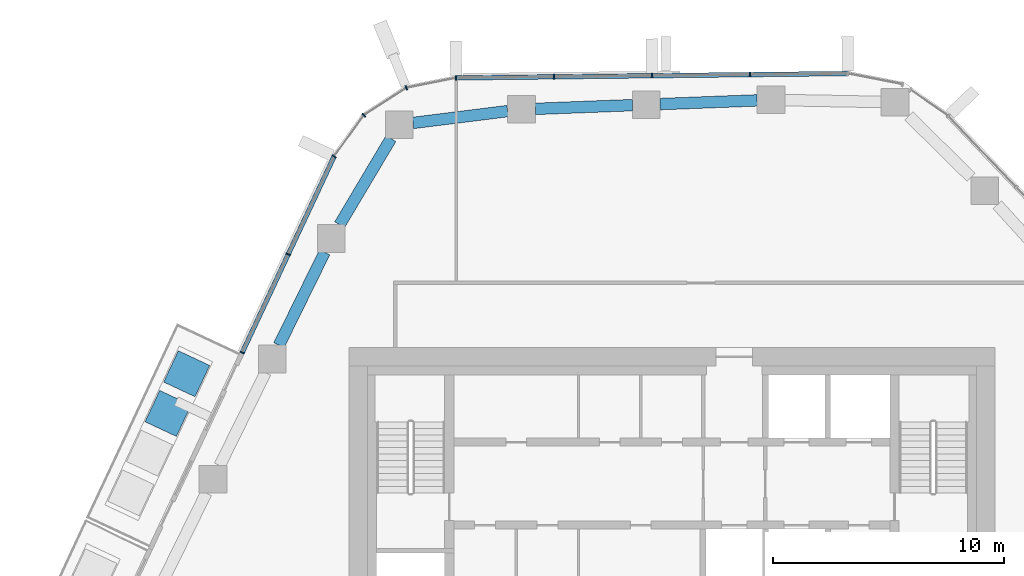
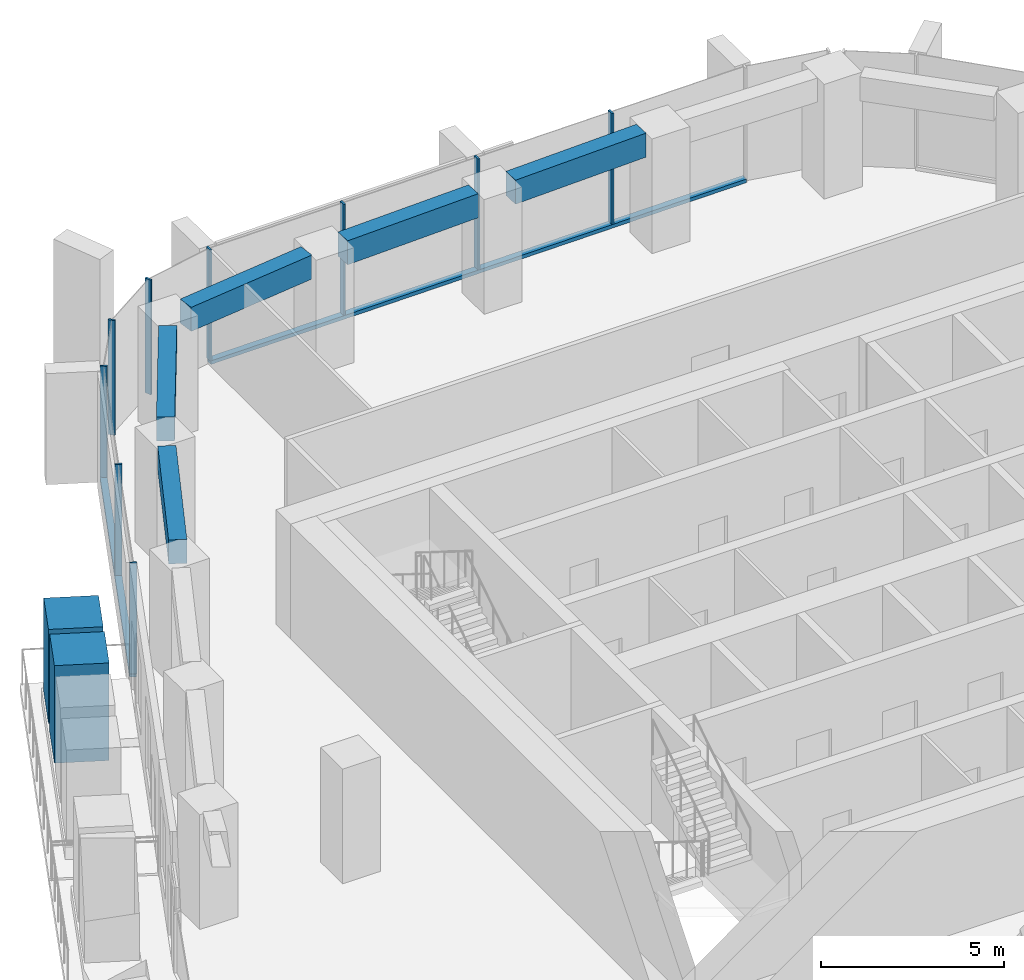
# One storey, part 5 of 17: 13 members, 5 beams, 3 elements without a shape of their own.
"""IFC4 building model written with IfcOpenShell, lengths in metres."""

import ifcopenshell
import ifcopenshell.guid

model = None  # the IFC model being written
_history = None  # IfcOwnerHistory: only IFC2X3 demands one
_inside = {}  # id of a spatial element -> (the spatial element, [elements in it])
_under = {}  # id of a project, library or spatial element -> (it, [spatial elements below it])
_declared = {}  # id of a project -> (the project, [libraries it declares])
_typed = {}  # id of a type object -> (the type object, [elements of that type])
_made_of = {}  # id of a material, layer set ... -> (it, [elements and type objects made of it])


def new_model(schema):
    """Start an empty IFC model of exactly this schema.

    Asked for "IFC4X3", IfcOpenShell would pick the latest addendum, in which some entities
    have other attributes; the version numbers below select the first issue.
    IFC2X3 requires an IfcOwnerHistory on every rooted entity: one is made here for all.
    """
    global model, _history
    if schema == "IFC4X3":
        model = ifcopenshell.file(schema_version=(4, 3, 0, 0))
    else:
        model = ifcopenshell.file(schema=schema)
    _inside.clear()
    _under.clear()
    _declared.clear()
    _typed.clear()
    _made_of.clear()
    _history = None
    if model.schema == "IFC2X3":
        org = make("IfcOrganization", Name="unknown")
        user = make(
            "IfcPersonAndOrganization",
            ThePerson=make("IfcPerson", FamilyName="unknown"),
            TheOrganization=org,
        )
        app = make(
            "IfcApplication",
            ApplicationDeveloper=org,
            Version="unknown",
            ApplicationFullName="unknown",
            ApplicationIdentifier="unknown",
        )
        _history = make(
            "IfcOwnerHistory",
            OwningUser=user,
            OwningApplication=app,
            ChangeAction="ADDED",
            CreationDate=0,
        )
    return model


def make(cls, **values):
    """One entity of the class cls with the attributes given. An attribute that is None is left unset."""
    return model.create_entity(
        cls, **{name: value for name, value in values.items() if value is not None}
    )


def rooted(cls, **values):
    """An entity with a GlobalId (a new one), such as an element, a storey or a relation."""
    return make(cls, GlobalId=ifcopenshell.guid.new(), OwnerHistory=_history, **values)


def si_unit(unit_type, name, prefix=None):
    """IfcSIUnit, for example si_unit("LENGTHUNIT", "METRE", prefix="MILLI")."""
    return make("IfcSIUnit", UnitType=unit_type, Prefix=prefix, Name=name)


def assignment(units):
    """IfcUnitAssignment: the units of a project."""
    return None if units is None else make("IfcUnitAssignment", Units=units)


def point(xyz):
    """IfcCartesianPoint."""
    return None if xyz is None else make("IfcCartesianPoint", Coordinates=xyz)


def direction(xyz):
    """IfcDirection."""
    return None if xyz is None else make("IfcDirection", DirectionRatios=xyz)


def frame(location, z_axis=None, x_axis=None):
    """IfcAxis2Placement3D, a coordinate frame: its origin and axes. An axis left out is left unset."""
    return make(
        "IfcAxis2Placement3D",
        Location=point(location),
        Axis=direction(z_axis),
        RefDirection=direction(x_axis),
    )


def frame_2d(location, x_axis=None):
    """IfcAxis2Placement2D, a coordinate frame in the plane: its origin and x axis."""
    return make(
        "IfcAxis2Placement2D", Location=point(location), RefDirection=direction(x_axis)
    )


def origin():
    """The frame at (0, 0, 0) with its axes left unset."""
    return frame((0.0, 0.0, 0.0))


def origin_2d():
    """The frame at (0, 0) in the plane with its x axis left unset."""
    return frame_2d((0.0, 0.0))


def place(relative_to, where):
    """IfcLocalPlacement: puts the frame where relative to a parent placement (None: the world)."""
    return make(
        "IfcLocalPlacement", PlacementRelTo=relative_to, RelativePlacement=where
    )


def context(
    kind, dimensions, precision=None, world=None, true_north=None, identifier=None
):
    """IfcGeometricRepresentationContext, for example the 3D "Model" context."""
    return make(
        "IfcGeometricRepresentationContext",
        ContextIdentifier=identifier,
        ContextType=kind,
        CoordinateSpaceDimension=dimensions,
        Precision=precision,
        WorldCoordinateSystem=world,
        TrueNorth=true_north,
    )


def subcontext(parent, identifier, kind, view, scale=None):
    """IfcGeometricRepresentationSubContext, for example "Body" below "Model"."""
    return make(
        "IfcGeometricRepresentationSubContext",
        ContextIdentifier=identifier,
        ContextType=kind,
        ParentContext=parent,
        TargetScale=scale,
        TargetView=view,
    )


def project(units=None, contexts=None):
    """IfcProject with its units and contexts."""
    return rooted(
        "IfcProject",
        Name="project",
        RepresentationContexts=contexts,
        UnitsInContext=assignment(units),
    )


def spatial(cls, under=None, at=None, **own):
    """A site, building, storey or space (cls), placed at a placement, below another one or the project."""
    s = rooted(cls, ObjectPlacement=at, **own)
    if under is not None:
        _under.setdefault(under.id(), (under, []))[1].append(s)
    return s


def profile(cls, at=None, kind="AREA", **sizes):
    """A parametric profile (cls). Its sizes go by their IFC names, for example OverallWidth=200.0."""
    return make(cls, ProfileType=kind, Position=at, **sizes)


def rectangle(**sizes):
    """IfcRectangleProfileDef."""
    return profile("IfcRectangleProfileDef", **sizes)


def extrude(swept, where, along, depth):
    """IfcExtrudedAreaSolid: the profile swept, set in the frame where, extruded along a direction by depth."""
    return make(
        "IfcExtrudedAreaSolid",
        SweptArea=swept,
        Position=where,
        ExtrudedDirection=direction(along),
        Depth=depth,
    )


def shape(context_of_items, identifier, shape_type, items):
    """IfcShapeRepresentation: the items that make up one representation, for example the "Body"."""
    return make(
        "IfcShapeRepresentation",
        ContextOfItems=context_of_items,
        RepresentationIdentifier=identifier,
        RepresentationType=shape_type,
        Items=items,
    )


def material(Name=None, Category=None):
    """IfcMaterial."""
    return make("IfcMaterial", Name=Name, Category=Category)


def layer(
    of_material, thickness, ventilated=None, Name=None, Category=None, Priority=None
):
    """IfcMaterialLayer: one layer of a wall or slab, of a material (None: an air gap)."""
    return make(
        "IfcMaterialLayer",
        Material=of_material,
        LayerThickness=thickness,
        IsVentilated=ventilated,
        Name=Name,
        Category=Category,
        Priority=Priority,
    )


def layer_set(layers, Name=None):
    """IfcMaterialLayerSet."""
    return make("IfcMaterialLayerSet", MaterialLayers=layers, LayerSetName=Name)


def material_profile(
    of_material, cross_section, Name=None, Category=None, Priority=None
):
    """IfcMaterialProfile: a cross section and its material."""
    return make(
        "IfcMaterialProfile",
        Name=Name,
        Material=of_material,
        Profile=cross_section,
        Priority=Priority,
        Category=Category,
    )


def profile_set(profiles, Name=None, composite=None):
    """IfcMaterialProfileSet."""
    return make(
        "IfcMaterialProfileSet",
        Name=Name,
        MaterialProfiles=profiles,
        CompositeProfile=composite,
    )


def made_of(thing, what):
    """Note that an element or type object is made of a material, layer set ...; save() writes the relation."""
    if what is not None:
        _made_of.setdefault(what.id(), (what, []))[1].append(thing)
    return thing


def type_object(cls, material=None, **own):
    """A type object (cls), such as IfcWallType, which elements share."""
    return made_of(rooted(cls, **own), material)


def element(
    cls,
    number,
    at=None,
    inside=None,
    cuts=None,
    type_object=None,
    material=None,
    context=None,
    identifier="Body",
    shape_type=None,
    held_by="IfcProductDefinitionShape",
    body=None,
    shapes=None,
    **own,
):
    """One element of the class cls, such as IfcWall. Its Tag is "e" and its number.

    at: its placement. inside: the storey or other place that contains it. cuts: it is an
    opening in that element (IfcRelVoidsElement). A single representation is given by context,
    identifier, shape_type and body (its items); several are given by shapes. held_by: the class
    of the entity that holds the representations. save() writes the other relations.
    """
    e = rooted(cls, Tag="e%d" % number, ObjectPlacement=at, **own)
    if body is not None:
        shapes = [shape(context, identifier, shape_type, body)]
    if shapes is not None:
        e.Representation = make(held_by, Representations=shapes)
    if inside is not None:
        _inside.setdefault(inside.id(), (inside, []))[1].append(e)
    if cuts is not None:
        rooted(
            "IfcRelVoidsElement", RelatingBuildingElement=cuts, RelatedOpeningElement=e
        )
    if type_object is not None:
        _typed.setdefault(type_object.id(), (type_object, []))[1].append(e)
    return made_of(e, material)


def aggregate(whole, parts):
    """IfcRelAggregates: a whole, such as a stair, and the parts it consists of."""
    return rooted("IfcRelAggregates", RelatingObject=whole, RelatedObjects=parts)


def save(model, path):
    """Write the relations noted so far, then the file.

    IfcRelAggregates (storeys below a building ...), IfcRelContainedInSpatialStructure (elements
    in a storey), IfcRelDefinesByType, IfcRelAssociatesMaterial and IfcRelDeclares: one each for
    every whole, place, type object, material and project.
    """
    for whole, parts in _under.values():
        aggregate(whole, parts)
    for where, things in _inside.values():
        rooted(
            "IfcRelContainedInSpatialStructure",
            RelatedElements=things,
            RelatingStructure=where,
        )
    for kind, things in _typed.values():
        rooted("IfcRelDefinesByType", RelatedObjects=things, RelatingType=kind)
    for what, things in _made_of.values():
        rooted("IfcRelAssociatesMaterial", RelatedObjects=things, RelatingMaterial=what)
    for by, libraries in _declared.values():
        rooted("IfcRelDeclares", RelatingContext=by, RelatedDefinitions=libraries)
    model.write(path)


model = new_model("IFC4")

# Units and contexts
model_context = context("Model", 3, precision=1e-05, world=origin(), true_north=direction((0.0, 1.0)))
body_context = subcontext(model_context, "Body", "Model", "MODEL_VIEW")
ifc_project = project(units=[si_unit("LENGTHUNIT", "METRE"), si_unit("AREAUNIT", "SQUARE_METRE"), si_unit("VOLUMEUNIT", "CUBIC_METRE"), si_unit("PLANEANGLEUNIT", "RADIAN"), si_unit("MASSUNIT", "GRAM", prefix="KILO")], contexts=[model_context])

# Site, building, storey
site_placement = place(None, origin())
site = spatial("IfcSite", under=ifc_project, at=site_placement, CompositionType="ELEMENT")
building_placement = place(site_placement, origin())
building = spatial("IfcBuilding", under=site, at=building_placement, Name="Dongbaek Canopy Tower", CompositionType="ELEMENT")
storey_placement = place(building_placement, frame((0.0, 0.0, 211.39990234375)))
storey = spatial("IfcBuildingStorey", under=building, at=storey_placement, Name="L44", CompositionType="ELEMENT", Elevation=211.39990234375)

# Curtain wall, members
ifc_material_1 = material(Name="Aluminium 6063-T6 pale anodised", Category="aluminium")
ifc_layer = layer(ifc_material_1, 0.199951171875)
ifc_layer_set = layer_set([ifc_layer], Name="CW-1 unitised tower curtain wall")
curtain_wall_type = type_object("IfcCurtainWallType", Name="CW-1 unitised tower curtain wall", PredefinedType="NOTDEFINED", material=ifc_layer_set)
curtain_wall_1_placement = place(storey_placement, origin())
curtain_wall_1 = element("IfcCurtainWall", 1, at=curtain_wall_1_placement, inside=storey, type_object=curtain_wall_type, Name="CW-1 curtain wall F1.1", PredefinedType="NOTDEFINED")
ifc_material_2 = material(Name="Aluminium 6063-T6 pale anodised", Category="aluminium")
ifc_material_profile_1 = material_profile(ifc_material_2, rectangle(XDim=0.199951171875, YDim=0.06005859375, at=origin_2d()), Name="CW-1 mullion 60 x 200")
ifc_profile_set_1 = profile_set([ifc_material_profile_1], Name="Aluminium 6063-T6 pale anodised")
member_type_1 = type_object("IfcMemberType", Name="CW-1 mullion 60 x 200", PredefinedType="MULLION", material=ifc_profile_set_1)
member_1_placement = place(storey_placement, frame((3.38671875, 22.83154296875, 0.1201171875), z_axis=(0.0, 0.0, 1.0), x_axis=(-0.011084623841, 0.99993856367, 0.0)))
member_1 = element("IfcMember", 2, at=member_1_placement, type_object=member_type_1, Name="CW-1 mullion F1.1.2", PredefinedType="MULLION", context=body_context, shape_type="SweptSolid", body=[
    extrude(rectangle(XDim=0.199951171875, YDim=0.06005859375, at=origin_2d()), origin(), (0.0, 0.0, 1.0), 3.699951171875),
])
member_2_placement = place(storey_placement, frame((-0.86376953125, 22.784423828125, 0.1201171875), z_axis=(0.0, 0.0, 1.0), x_axis=(-0.011084623841, 0.99993856367, 0.0)))
member_2 = element("IfcMember", 3, at=member_2_placement, type_object=member_type_1, Name="CW-1 mullion F1.1.3", PredefinedType="MULLION", context=body_context, shape_type="SweptSolid", body=[
    extrude(rectangle(XDim=0.199951171875, YDim=0.06005859375, at=origin_2d()), origin(), (0.0, 0.0, 1.0), 3.699951171875),
])
member_3_placement = place(storey_placement, frame((-5.114013671875, 22.7373046875, 0.1201171875), z_axis=(0.0, 0.0, 1.0), x_axis=(-0.011084623841, 0.99993856367, 0.0)))
member_3 = element("IfcMember", 4, at=member_3_placement, type_object=member_type_1, Name="CW-1 mullion F1.1.4", PredefinedType="MULLION", context=body_context, shape_type="SweptSolid", body=[
    extrude(rectangle(XDim=0.199951171875, YDim=0.06005859375, at=origin_2d()), origin(), (0.0, 0.0, 1.0), 3.699951171875),
])
member_4_placement = place(storey_placement, frame((-9.35498046875, 22.6904296875, 0.1201171875), z_axis=(0.0, 0.0, 1.0), x_axis=(-0.011084623841, 0.99993856367, 0.0)))
member_4 = element("IfcMember", 5, at=member_4_placement, type_object=member_type_1, Name="CW-1 mullion F1.1.5", PredefinedType="MULLION", context=body_context, shape_type="SweptSolid", body=[
    extrude(rectangle(XDim=0.199951171875, YDim=0.06005859375, at=origin_2d()), origin(), (0.0, 0.0, 1.0), 3.699951171875),
])

curtain_wall_2_placement = place(storey_placement, origin())
curtain_wall_2 = element("IfcCurtainWall", 6, at=curtain_wall_2_placement, inside=storey, type_object=curtain_wall_type, Name="CW-1 curtain wall K2.1", PredefinedType="NOTDEFINED")
member_5_placement = place(storey_placement, frame((-11.513916015625, 22.257080078125, 0.0), z_axis=(0.0, 0.0, 1.0), x_axis=(-0.375532166425, 0.926809361185, 0.0)))
member_5 = element("IfcMember", 7, at=member_5_placement, type_object=member_type_1, Name="CW-1 mullion K2.1.2", PredefinedType="MULLION", context=body_context, shape_type="SweptSolid", body=[
    extrude(rectangle(XDim=0.199951171875, YDim=0.06005859375, at=origin_2d()), origin(), (0.0, 0.0, 1.0), 3.820068359375),
])
member_6_placement = place(storey_placement, frame((-13.357421875, 21.070556640625, 0.0), z_axis=(0.0, 0.0, 1.0), x_axis=(-0.688092470287, 0.725623009788, 0.0)))
member_6 = element("IfcMember", 8, at=member_6_placement, type_object=member_type_1, Name="CW-1 mullion K2.1.3", PredefinedType="MULLION", context=body_context, shape_type="SweptSolid", body=[
    extrude(rectangle(XDim=0.199951171875, YDim=0.06005859375, at=origin_2d()), origin(), (0.0, 0.0, 1.0), 3.820068359375),
])
member_7_placement = place(storey_placement, frame((-14.645751953125, 19.284912109375, 0.0), z_axis=(0.0, 0.0, 1.0), x_axis=(-0.810965252788, 0.585094316133, 0.0)))
member_7 = element("IfcMember", 9, at=member_7_placement, type_object=member_type_1, Name="CW-1 mullion K2.1.4", PredefinedType="MULLION", context=body_context, shape_type="SweptSolid", body=[
    extrude(rectangle(XDim=0.199951171875, YDim=0.06005859375, at=origin_2d()), origin(), (0.0, 0.0, 1.0), 3.820068359375),
])
aggregate(curtain_wall_2, [member_5, member_6, member_7])

curtain_wall_3_placement = place(storey_placement, origin())
curtain_wall_3 = element("IfcCurtainWall", 10, at=curtain_wall_3_placement, inside=storey, type_object=curtain_wall_type, Name="CW-1 curtain wall F2.1", PredefinedType="NOTDEFINED")
member_8_placement = place(storey_placement, frame((-16.6357421875, 15.03662109375, 0.1201171875), z_axis=(0.0, 0.0, 1.0), x_axis=(-0.905579112169, 0.424177405815, 0.0)))
member_8 = element("IfcMember", 11, at=member_8_placement, type_object=member_type_1, Name="CW-1 mullion F2.1.2", PredefinedType="MULLION", context=body_context, shape_type="SweptSolid", body=[
    extrude(rectangle(XDim=0.199951171875, YDim=0.06005859375, at=origin_2d()), origin(), (0.0, 0.0, 1.0), 3.699951171875),
])
member_9_placement = place(storey_placement, frame((-18.62939453125, 10.780029296875, 0.1201171875), z_axis=(0.0, 0.0, 1.0), x_axis=(-0.905579112169, 0.424177405815, 0.0)))
member_9 = element("IfcMember", 12, at=member_9_placement, type_object=member_type_1, Name="CW-1 mullion F2.1.3", PredefinedType="MULLION", context=body_context, shape_type="SweptSolid", body=[
    extrude(rectangle(XDim=0.199951171875, YDim=0.06005859375, at=origin_2d()), origin(), (0.0, 0.0, 1.0), 3.699951171875),
])

# Member
ifc_material_3 = material(Name="Aluminium 6063-T6 pale anodised", Category="aluminium")
ifc_material_profile_2 = material_profile(ifc_material_3, rectangle(XDim=0.199951171875, YDim=0.1201171875, at=origin_2d()), Name="CW-1 transom 120 x 200")
ifc_profile_set_2 = profile_set([ifc_material_profile_2], Name="Aluminium 6063-T6 pale anodised")
member_type_2 = type_object("IfcMemberType", Name="CW-1 transom 120 x 200", PredefinedType="USERDEFINED", material=ifc_profile_set_2)
member_10_placement = place(storey_placement, frame((7.626708984375, 22.878662109375, 0.06005859375), z_axis=(-0.999938573318, -0.011083753469, 0.0), x_axis=(0.011083753469, -0.999938573318, 0.0)))
member_10 = element("IfcMember", 13, at=member_10_placement, type_object=member_type_2, Name="CW-1 transom F1.1.1", ObjectType="TRANSOM", PredefinedType="USERDEFINED", context=body_context, shape_type="SweptSolid", body=[
    extrude(rectangle(XDim=0.199951171875, YDim=0.1201171875, at=origin_2d()), origin(), (0.0, 0.0, 1.0), 16.982666015625),
])

aggregate(curtain_wall_1, [member_1, member_2, member_3, member_4, member_10])

member_11_placement = place(storey_placement, frame((-14.645751953125, 19.284912109375, 0.06005859375), z_axis=(-0.424170114292, -0.905582527516, 0.0), x_axis=(0.905582527516, -0.424170114292, 0.0)))
member_11 = element("IfcMember", 14, at=member_11_placement, type_object=member_type_2, Name="CW-1 transom F2.1.1", ObjectType="TRANSOM", PredefinedType="USERDEFINED", context=body_context, shape_type="SweptSolid", body=[
    extrude(rectangle(XDim=0.199951171875, YDim=0.1201171875, at=origin_2d()), origin(), (0.0, 0.0, 1.0), 9.3916015625),
])

aggregate(curtain_wall_3, [member_8, member_9, member_11])

# Beams
ifc_material_4 = material(Name="Concrete C70", Category="concrete")
ifc_material_profile_3 = material_profile(ifc_material_4, rectangle(XDim=0.5, YDim=0.800048828125, at=origin_2d()), Name="RC EDGE BEAM 500x800 C70")
ifc_profile_set_3 = profile_set([ifc_material_profile_3], Name="Concrete C70")
beam_type = type_object("IfcBeamType", Name="RC EDGE BEAM 500x800 C70", PredefinedType="BEAM", material=ifc_profile_set_3)
beam_1_placement = place(storey_placement, frame((-17.032958984375, 11.10498046875, 3.420166015625), z_axis=(0.441228982876, 0.89739455351, 0.0), x_axis=(-0.89739455351, 0.441228982876, 0.0)))
element("IfcBeam", 15, at=beam_1_placement, inside=storey, type_object=beam_type, Name="EDGEBEAM:L44:11", PredefinedType="BEAM", context=body_context, shape_type="SweptSolid", body=[
    extrude(rectangle(XDim=0.5, YDim=0.800048828125, at=origin_2d()), origin(), (0.0, 0.0, 1.0), 4.478515625),
])
beam_2_placement = place(storey_placement, frame((-14.40478515625, 16.323974609375, 3.420166015625), z_axis=(0.51151247975, 0.859275848061, 0.0), x_axis=(-0.859275848061, 0.51151247975, 0.0)))
element("IfcBeam", 16, at=beam_2_placement, inside=storey, type_object=beam_type, Name="EDGEBEAM:L44:12", PredefinedType="BEAM", context=body_context, shape_type="SweptSolid", body=[
    extrude(rectangle(XDim=0.5, YDim=0.800048828125, at=origin_2d()), origin(), (0.0, 0.0, 1.0), 4.34912109375),
])
beam_3_placement = place(storey_placement, frame((-11.222900390625, 20.73583984375, 3.420166015625), z_axis=(0.992289687294, 0.123940213368, 0.0), x_axis=(-0.123940213368, 0.992289687294, 0.0)))
element("IfcBeam", 17, at=beam_3_placement, inside=storey, type_object=beam_type, Name="EDGEBEAM:L44:13", PredefinedType="BEAM", context=body_context, shape_type="SweptSolid", body=[
    extrude(rectangle(XDim=0.5, YDim=0.800048828125, at=origin_2d()), origin(), (0.0, 0.0, 1.0), 4.1328125),
])
beam_4_placement = place(storey_placement, frame((-5.922119140625, 21.345947265625, 3.420166015625), z_axis=(0.999268092878, 0.038252824158, 0.0), x_axis=(-0.038252824158, 0.999268092878, 0.0)))
element("IfcBeam", 18, at=beam_4_placement, inside=storey, type_object=beam_type, Name="EDGEBEAM:L44:14", PredefinedType="BEAM", context=body_context, shape_type="SweptSolid", body=[
    extrude(rectangle(XDim=0.5, YDim=0.800048828125, at=origin_2d()), origin(), (0.0, 0.0, 1.0), 4.21240234375),
])
beam_5_placement = place(storey_placement, frame((-0.512939453125, 21.552978515625, 3.420166015625), z_axis=(0.999276508887, 0.0380323387, 0.0), x_axis=(-0.0380323387, 0.999276508887, 0.0)))
element("IfcBeam", 19, at=beam_5_placement, inside=storey, type_object=beam_type, Name="EDGEBEAM:L44:15", PredefinedType="BEAM", context=body_context, shape_type="SweptSolid", body=[
    extrude(rectangle(XDim=0.5, YDim=0.800048828125, at=origin_2d()), origin(), (0.0, 0.0, 1.0), 4.2109375),
])

# Members
ifc_material_5 = material(Name="Concrete C40/50 planter mass with planting", Category="concrete")
ifc_material_profile_4 = material_profile(ifc_material_5, rectangle(XDim=1.5, YDim=1.5, at=origin_2d()), Name="Terrace PLANTER shrub mass 1500 x 1500")
ifc_profile_set_4 = profile_set([ifc_material_profile_4], Name="Concrete C40/50 planter mass with planting")
member_type_3 = type_object("IfcMemberType", Name="Terrace PLANTER shrub mass 1500 x 1500", PredefinedType="USERDEFINED", material=ifc_profile_set_4)
member_12_placement = place(storey_placement, frame((-21.03515625, 9.864013671875, 0.420166015625), z_axis=(0.0, 0.0, 1.0), x_axis=(-0.905579112169, 0.424177405815, 0.0)))
element("IfcMember", 20, at=member_12_placement, inside=storey, type_object=member_type_3, Name="Planter shrubs L44 1.1", ObjectType="PLANTER", PredefinedType="USERDEFINED", context=body_context, shape_type="SweptSolid", body=[
    extrude(rectangle(XDim=1.5, YDim=1.5, at=origin_2d()), origin(), (0.0, 0.0, 1.0), 3.1298828125),
])
member_13_placement = place(storey_placement, frame((-21.84130859375, 8.143310546875, 0.420166015625), z_axis=(0.0, 0.0, 1.0), x_axis=(-0.905579112169, 0.424177405815, 0.0)))
element("IfcMember", 21, at=member_13_placement, inside=storey, type_object=member_type_3, Name="Planter shrubs L44 1.2", ObjectType="PLANTER", PredefinedType="USERDEFINED", context=body_context, shape_type="SweptSolid", body=[
    extrude(rectangle(XDim=1.5, YDim=1.5, at=origin_2d()), origin(), (0.0, 0.0, 1.0), 3.25),
])

save(model, "model.ifc")
